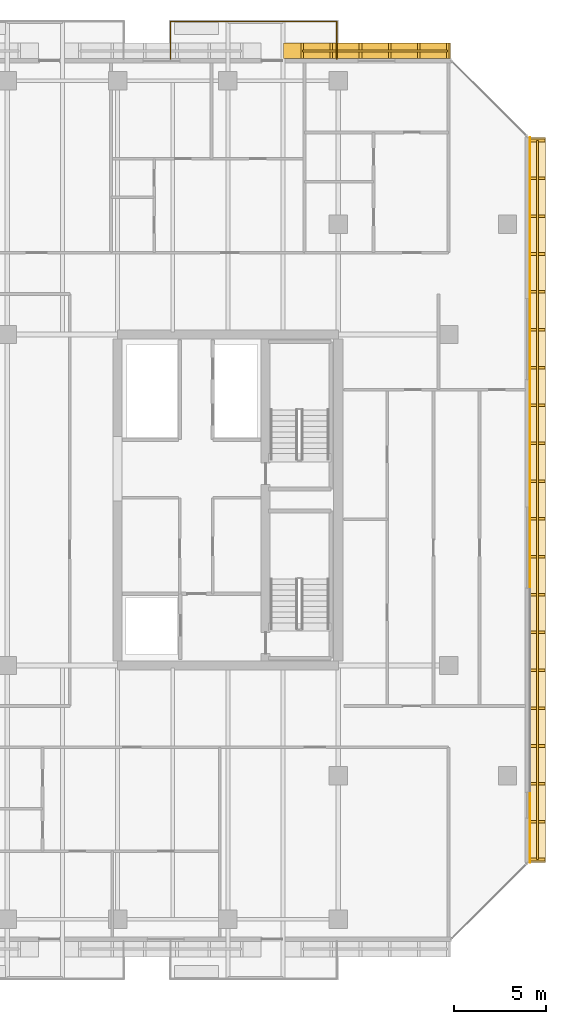
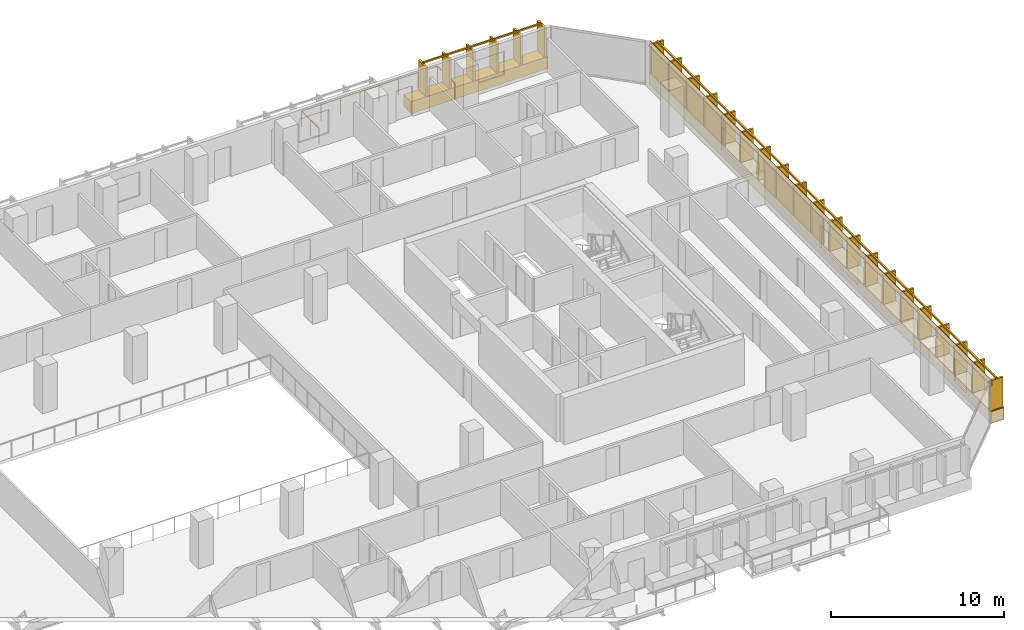
# One storey, part 35 of 35: 5 coverings, 3 railings.
"""IFC4 building model written with IfcOpenShell, lengths in metres."""

from ifc_helpers import new_model, si_unit, direction, frame, origin, origin_2d, place, context, subcontext, project, spatial, rectangle, extrude, material, layer, layer_set, type_object, element, save


model = new_model("IFC4")

# Units and contexts
model_context = context("Model", 3, precision=1e-05, world=origin(), true_north=direction((0.0, 1.0)))
body_context = subcontext(model_context, "Body", "Model", "MODEL_VIEW")
ifc_project = project(units=[si_unit("LENGTHUNIT", "METRE"), si_unit("AREAUNIT", "SQUARE_METRE"), si_unit("VOLUMEUNIT", "CUBIC_METRE"), si_unit("PLANEANGLEUNIT", "RADIAN"), si_unit("MASSUNIT", "GRAM", prefix="KILO")], contexts=[model_context])

# Site, building, storey
site_placement = place(None, origin())
site = spatial("IfcSite", under=ifc_project, at=site_placement, CompositionType="ELEMENT")
building_placement = place(site_placement, origin())
building = spatial("IfcBuilding", under=site, at=building_placement, Name="Tanjung Sevakor Pilgrim Tower", CompositionType="ELEMENT")
storey_placement = place(building_placement, frame((0.0, 0.0, 92.070068359375)))
storey = spatial("IfcBuildingStorey", under=building, at=storey_placement, Name="L25", CompositionType="ELEMENT", Elevation=92.070068359375)

# Coverings
ifc_material_1 = material(Name="Reconstructed Limestone Cladding", Category="masonry")
ifc_layer = layer(ifc_material_1, 0.044921875)
ifc_layer_set = layer_set([ifc_layer], Name="COV-CLAD-LIMESTONE")
covering_type = type_object("IfcCoveringType", Name="COV-CLAD-LIMESTONE", PredefinedType="CLADDING", material=ifc_layer_set)
covering_1_placement = place(storey_placement, frame((100.830078125, 33.60009765625, 0.009765625), z_axis=(0.0, 0.0, 1.0), x_axis=(0.0, 1.0, 0.0)))
element("IfcCovering", 1, at=covering_1_placement, inside=storey, type_object=covering_type, Name="L25 Warm Limestone Sill Spandrel EW-L25-MAIN-7-1", PredefinedType="CLADDING", context=body_context, shape_type="SweptSolid", body=[
    extrude(rectangle(XDim=39.41650390625, YDim=0.860107421875, at=origin_2d()), origin(), (0.0, 0.0, 1.0), 0.840087890625),
])
covering_2_placement = place(storey_placement, frame((100.422607421875, 33.60009765625, 2.66015625), z_axis=(0.0, 0.0, 1.0), x_axis=(0.0, 1.0, 0.0)))
element("IfcCovering", 2, at=covering_2_placement, inside=storey, type_object=covering_type, Name="L25 Warm Limestone Cornice Spandrel EW-L25-MAIN-7", PredefinedType="CLADDING", context=body_context, shape_type="SweptSolid", body=[
    extrude(rectangle(XDim=39.456298828125, YDim=0.044921875, at=origin_2d()), origin(), (0.0, 0.0, 1.0), 0.409912109375),
])
covering_3_placement = place(storey_placement, frame((100.422607421875, 36.679931640625, 0.849853515625), z_axis=(0.0, 0.0, 1.0), x_axis=(0.0, 1.0, 0.0)))
element("IfcCovering", 3, at=covering_3_placement, inside=storey, type_object=covering_type, Name="L25 Warm Limestone Pier Panel EW-L25-MAIN-7-2", PredefinedType="CLADDING", context=body_context, shape_type="SweptSolid", body=[
    extrude(rectangle(XDim=6.840087890625, YDim=0.044921875, at=origin_2d()), origin(), (0.0, 0.0, 1.0), 1.81005859375),
])
covering_4_placement = place(storey_placement, frame((100.422607421875, 48.9541015625, 0.849853515625), z_axis=(0.0, 0.0, 1.0), x_axis=(0.0, 1.0, 0.0)))
element("IfcCovering", 4, at=covering_4_placement, inside=storey, type_object=covering_type, Name="L25 Warm Limestone Pier Panel EW-L25-MAIN-7-3", PredefinedType="CLADDING", context=body_context, shape_type="SweptSolid", body=[
    extrude(rectangle(XDim=8.708251953125, YDim=0.044921875, at=origin_2d()), origin(), (0.0, 0.0, 1.0), 1.81005859375),
])
covering_5_placement = place(storey_placement, frame((91.55908203125, 58.030029296875, 0.009765625), z_axis=(0.0, 0.0, 1.0), x_axis=(-1.0, 0.0, 0.0)))
element("IfcCovering", 5, at=covering_5_placement, inside=storey, type_object=covering_type, Name="L25 Warm Limestone Sill Spandrel EW-L25-MAIN-9-1", PredefinedType="CLADDING", context=body_context, shape_type="SweptSolid", body=[
    extrude(rectangle(XDim=9.09814453125, YDim=0.860107421875, at=origin_2d()), origin(), (0.0, 0.0, 1.0), 0.840087890625),
])

# Railings
ifc_material_2 = material(Name="Laminated Glass and Aluminium", Category="aluminium")
railing_type_1 = type_object("IfcRailingType", Name="RL-BAL-BALUST", PredefinedType="BALUSTRADE", material=ifc_material_2)
railing_1_placement = place(storey_placement, frame((80.8798828125, 57.60009765625, 0.0)))
element("IfcRailing", 6, at=railing_1_placement, inside=storey, type_object=railing_type_1, Name="L25 Loggia Balustrade MAIN-N4", PredefinedType="BALUSTRADE", context=body_context, shape_type="SweptSolid", body=[
    extrude(rectangle(XDim=0.0479, YDim=0.0479), frame((0.0, 0.0, 1.1259765625), z_axis=(0.0, 1.0, 0.0), x_axis=(-1.0, 0.0, 0.0)), (0.0, 0.0, 1.0), 2.02001953125),
    extrude(rectangle(XDim=0.0479, YDim=0.0479), frame((0.0, 2.02001953125, 1.1259765625), z_axis=(1.0, 0.0, 0.0), x_axis=(0.0, 1.0, 0.0)), (0.0, 0.0, 1.0), 9.0400390625),
    extrude(rectangle(XDim=0.0479, YDim=0.0479), frame((9.0400390625, 2.02001953125, 1.1259765625), z_axis=(0.0, -1.0, 0.0), x_axis=(1.0, 0.0, 0.0)), (0.0, 0.0, 1.0), 2.02001953125),
    extrude(rectangle(XDim=0.042, YDim=0.042), origin(), (0.0, 0.0, 1.0), 1.101806640625),
    extrude(rectangle(XDim=0.042, YDim=0.042), frame((0.0, 1.010009765625, 0.0)), (0.0, 0.0, 1.0), 1.101806640625),
    extrude(rectangle(XDim=0.042, YDim=0.042), frame((0.0, 2.02001953125, 0.0)), (0.0, 0.0, 1.0), 1.101806640625),
    extrude(rectangle(XDim=0.042, YDim=0.042), frame((1.29150390625, 2.02001953125, 0.0)), (0.0, 0.0, 1.0), 1.101806640625),
    extrude(rectangle(XDim=0.042, YDim=0.042), frame((2.582763671875, 2.02001953125, 0.0)), (0.0, 0.0, 1.0), 1.101806640625),
    extrude(rectangle(XDim=0.042, YDim=0.042), frame((3.874267578125, 2.02001953125, 0.0)), (0.0, 0.0, 1.0), 1.101806640625),
    extrude(rectangle(XDim=0.042, YDim=0.042), frame((5.165771484375, 2.02001953125, 0.0)), (0.0, 0.0, 1.0), 1.101806640625),
    extrude(rectangle(XDim=0.042, YDim=0.042), frame((6.457275390625, 2.02001953125, 0.0)), (0.0, 0.0, 1.0), 1.101806640625),
    extrude(rectangle(XDim=0.042, YDim=0.042), frame((7.74853515625, 2.02001953125, 0.0)), (0.0, 0.0, 1.0), 1.101806640625),
    extrude(rectangle(XDim=0.042, YDim=0.042), frame((9.0400390625, 2.02001953125, 0.0)), (0.0, 0.0, 1.0), 1.101806640625),
    extrude(rectangle(XDim=0.042, YDim=0.042), frame((9.0400390625, 1.010009765625, 0.0)), (0.0, 0.0, 1.0), 1.101806640625),
    extrude(rectangle(XDim=0.042, YDim=0.042), frame((9.0400390625, 0.0, 0.0)), (0.0, 0.0, 1.0), 1.101806640625),
])
ifc_material_3 = material(Name="Anodised Bronze Aluminium 6063-T6", Category="aluminium")
railing_type_2 = type_object("IfcRailingType", Name="RL-FIN-SCREEN", PredefinedType="BALUSTRADE", material=ifc_material_3)
railing_2_placement = place(storey_placement, frame((100.824951171875, 14.0517578125, 0.83984375)))
element("IfcRailing", 7, at=railing_2_placement, inside=storey, type_object=railing_type_2, Name="L25 Vertical Bronze-Gold Solar Fin Screen FNEND-EW-L25-MAIN-7-1", PredefinedType="BALUSTRADE", context=body_context, shape_type="SweptSolid", body=[
    extrude(rectangle(XDim=0.105, YDim=0.105), frame((0.0, 0.0, 2.157470703125), z_axis=(0.0, 1.0, 0.0), x_axis=(-1.0, 0.0, 0.0)), (0.0, 0.0, 1.0), 39.096435546875),
    extrude(rectangle(XDim=0.85, YDim=0.14), origin(), (0.0, 0.0, 1.0), 2.10498046875),
    extrude(rectangle(XDim=0.85, YDim=0.14), frame((0.0, 2.0576171875, 0.0)), (0.0, 0.0, 1.0), 2.10498046875),
    extrude(rectangle(XDim=0.85, YDim=0.14), frame((0.0, 4.115478515625, 0.0)), (0.0, 0.0, 1.0), 2.10498046875),
    extrude(rectangle(XDim=0.85, YDim=0.14), frame((0.0, 6.173095703125, 0.0)), (0.0, 0.0, 1.0), 2.10498046875),
    extrude(rectangle(XDim=0.85, YDim=0.14), frame((0.0, 8.230712890625, 0.0)), (0.0, 0.0, 1.0), 2.10498046875),
    extrude(rectangle(XDim=0.85, YDim=0.14), frame((0.0, 10.28857421875, 0.0)), (0.0, 0.0, 1.0), 2.10498046875),
    extrude(rectangle(XDim=0.85, YDim=0.14), frame((0.0, 12.34619140625, 0.0)), (0.0, 0.0, 1.0), 2.10498046875),
    extrude(rectangle(XDim=0.85, YDim=0.14), frame((0.0, 14.404052734375, 0.0)), (0.0, 0.0, 1.0), 2.10498046875),
    extrude(rectangle(XDim=0.85, YDim=0.14), frame((0.0, 16.461669921875, 0.0)), (0.0, 0.0, 1.0), 2.10498046875),
    extrude(rectangle(XDim=0.85, YDim=0.14), frame((0.0, 18.519287109375, 0.0)), (0.0, 0.0, 1.0), 2.10498046875),
    extrude(rectangle(XDim=0.85, YDim=0.14), frame((0.0, 20.5771484375, 0.0)), (0.0, 0.0, 1.0), 2.10498046875),
    extrude(rectangle(XDim=0.85, YDim=0.14), frame((0.0, 22.634765625, 0.0)), (0.0, 0.0, 1.0), 2.10498046875),
    extrude(rectangle(XDim=0.85, YDim=0.14), frame((0.0, 24.6923828125, 0.0)), (0.0, 0.0, 1.0), 2.10498046875),
    extrude(rectangle(XDim=0.85, YDim=0.14), frame((0.0, 26.750244140625, 0.0)), (0.0, 0.0, 1.0), 2.10498046875),
    extrude(rectangle(XDim=0.85, YDim=0.14), frame((0.0, 28.807861328125, 0.0)), (0.0, 0.0, 1.0), 2.10498046875),
    extrude(rectangle(XDim=0.85, YDim=0.14), frame((0.0, 30.86572265625, 0.0)), (0.0, 0.0, 1.0), 2.10498046875),
    extrude(rectangle(XDim=0.85, YDim=0.14), frame((0.0, 32.92333984375, 0.0)), (0.0, 0.0, 1.0), 2.10498046875),
    extrude(rectangle(XDim=0.85, YDim=0.14), frame((0.0, 34.98095703125, 0.0)), (0.0, 0.0, 1.0), 2.10498046875),
    extrude(rectangle(XDim=0.85, YDim=0.14), frame((0.0, 37.038818359375, 0.0)), (0.0, 0.0, 1.0), 2.10498046875),
    extrude(rectangle(XDim=0.85, YDim=0.14), frame((0.0, 39.096435546875, 0.0)), (0.0, 0.0, 1.0), 2.10498046875),
])
railing_3_placement = place(storey_placement, frame((95.9482421875, 58.02490234375, 0.83984375)))
element("IfcRailing", 8, at=railing_3_placement, inside=storey, type_object=railing_type_2, Name="L25 Vertical Bronze-Gold Solar Fin Screen FNSCR-EW-L25-MAIN-9-1", PredefinedType="BALUSTRADE", context=body_context, shape_type="SweptSolid", body=[
    extrude(rectangle(XDim=0.105, YDim=0.105), frame((0.0, 0.0, 2.157470703125), z_axis=(-1.0, 0.0, 0.0), x_axis=(0.0, -1.0, 0.0)), (0.0, 0.0, 1.0), 7.898193359375),
    extrude(rectangle(XDim=0.14, YDim=0.85), origin(), (0.0, 0.0, 1.0), 2.10498046875),
    extrude(rectangle(XDim=0.14, YDim=0.85), frame((-1.57958984375, 0.0, 0.0)), (0.0, 0.0, 1.0), 2.10498046875),
    extrude(rectangle(XDim=0.14, YDim=0.85), frame((-3.1591796875, 0.0, 0.0)), (0.0, 0.0, 1.0), 2.10498046875),
    extrude(rectangle(XDim=0.14, YDim=0.85), frame((-4.739013671875, 0.0, 0.0)), (0.0, 0.0, 1.0), 2.10498046875),
    extrude(rectangle(XDim=0.14, YDim=0.85), frame((-6.318603515625, 0.0, 0.0)), (0.0, 0.0, 1.0), 2.10498046875),
    extrude(rectangle(XDim=0.14, YDim=0.85), frame((-7.898193359375, 0.0, 0.0)), (0.0, 0.0, 1.0), 2.10498046875),
])

save(model, "model.ifc")
